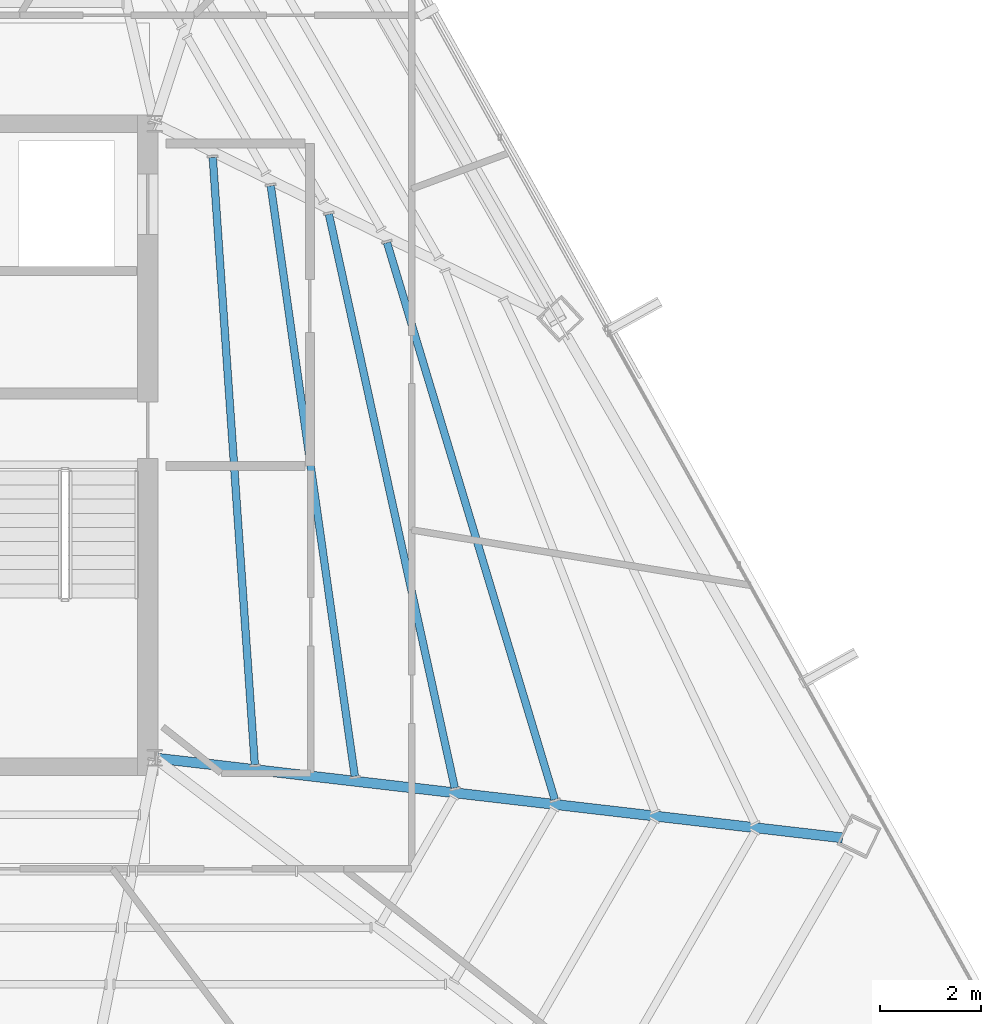
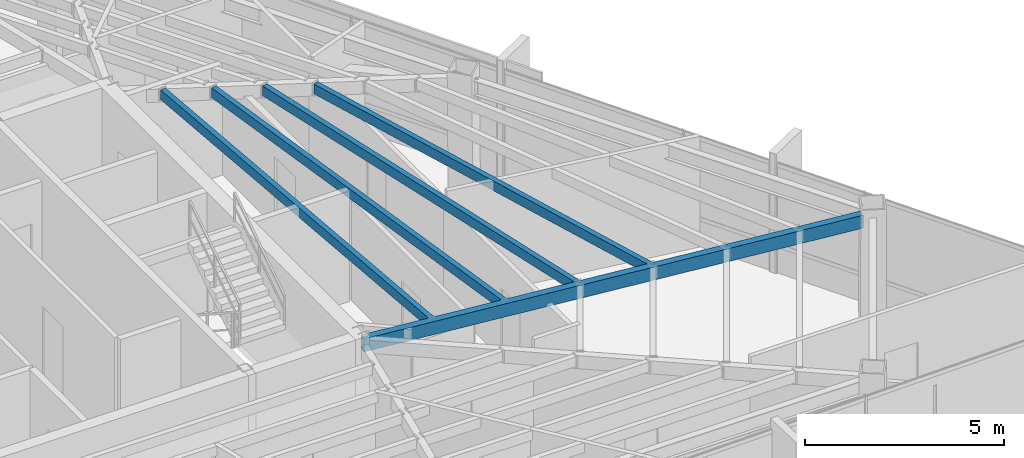
# One storey, part 22 of 45: 5 beams.
"""IFC4 building model written with IfcOpenShell, lengths in metres."""

import ifcopenshell
import ifcopenshell.guid

model = None  # the IFC model being written
_history = None  # IfcOwnerHistory: only IFC2X3 demands one
_inside = {}  # id of a spatial element -> (the spatial element, [elements in it])
_under = {}  # id of a project, library or spatial element -> (it, [spatial elements below it])
_declared = {}  # id of a project -> (the project, [libraries it declares])
_typed = {}  # id of a type object -> (the type object, [elements of that type])
_made_of = {}  # id of a material, layer set ... -> (it, [elements and type objects made of it])


def new_model(schema):
    """Start an empty IFC model of exactly this schema.

    Asked for "IFC4X3", IfcOpenShell would pick the latest addendum, in which some entities
    have other attributes; the version numbers below select the first issue.
    IFC2X3 requires an IfcOwnerHistory on every rooted entity: one is made here for all.
    """
    global model, _history
    if schema == "IFC4X3":
        model = ifcopenshell.file(schema_version=(4, 3, 0, 0))
    else:
        model = ifcopenshell.file(schema=schema)
    _inside.clear()
    _under.clear()
    _declared.clear()
    _typed.clear()
    _made_of.clear()
    _history = None
    if model.schema == "IFC2X3":
        org = make("IfcOrganization", Name="unknown")
        user = make(
            "IfcPersonAndOrganization",
            ThePerson=make("IfcPerson", FamilyName="unknown"),
            TheOrganization=org,
        )
        app = make(
            "IfcApplication",
            ApplicationDeveloper=org,
            Version="unknown",
            ApplicationFullName="unknown",
            ApplicationIdentifier="unknown",
        )
        _history = make(
            "IfcOwnerHistory",
            OwningUser=user,
            OwningApplication=app,
            ChangeAction="ADDED",
            CreationDate=0,
        )
    return model


def make(cls, **values):
    """One entity of the class cls with the attributes given. An attribute that is None is left unset."""
    return model.create_entity(
        cls, **{name: value for name, value in values.items() if value is not None}
    )


def rooted(cls, **values):
    """An entity with a GlobalId (a new one), such as an element, a storey or a relation."""
    return make(cls, GlobalId=ifcopenshell.guid.new(), OwnerHistory=_history, **values)


def si_unit(unit_type, name, prefix=None):
    """IfcSIUnit, for example si_unit("LENGTHUNIT", "METRE", prefix="MILLI")."""
    return make("IfcSIUnit", UnitType=unit_type, Prefix=prefix, Name=name)


def assignment(units):
    """IfcUnitAssignment: the units of a project."""
    return None if units is None else make("IfcUnitAssignment", Units=units)


def point(xyz):
    """IfcCartesianPoint."""
    return None if xyz is None else make("IfcCartesianPoint", Coordinates=xyz)


def direction(xyz):
    """IfcDirection."""
    return None if xyz is None else make("IfcDirection", DirectionRatios=xyz)


def frame(location, z_axis=None, x_axis=None):
    """IfcAxis2Placement3D, a coordinate frame: its origin and axes. An axis left out is left unset."""
    return make(
        "IfcAxis2Placement3D",
        Location=point(location),
        Axis=direction(z_axis),
        RefDirection=direction(x_axis),
    )


def frame_2d(location, x_axis=None):
    """IfcAxis2Placement2D, a coordinate frame in the plane: its origin and x axis."""
    return make(
        "IfcAxis2Placement2D", Location=point(location), RefDirection=direction(x_axis)
    )


def origin():
    """The frame at (0, 0, 0) with its axes left unset."""
    return frame((0.0, 0.0, 0.0))


def origin_2d():
    """The frame at (0, 0) in the plane with its x axis left unset."""
    return frame_2d((0.0, 0.0))


def place(relative_to, where):
    """IfcLocalPlacement: puts the frame where relative to a parent placement (None: the world)."""
    return make(
        "IfcLocalPlacement", PlacementRelTo=relative_to, RelativePlacement=where
    )


def context(
    kind, dimensions, precision=None, world=None, true_north=None, identifier=None
):
    """IfcGeometricRepresentationContext, for example the 3D "Model" context."""
    return make(
        "IfcGeometricRepresentationContext",
        ContextIdentifier=identifier,
        ContextType=kind,
        CoordinateSpaceDimension=dimensions,
        Precision=precision,
        WorldCoordinateSystem=world,
        TrueNorth=true_north,
    )


def subcontext(parent, identifier, kind, view, scale=None):
    """IfcGeometricRepresentationSubContext, for example "Body" below "Model"."""
    return make(
        "IfcGeometricRepresentationSubContext",
        ContextIdentifier=identifier,
        ContextType=kind,
        ParentContext=parent,
        TargetScale=scale,
        TargetView=view,
    )


def project(units=None, contexts=None):
    """IfcProject with its units and contexts."""
    return rooted(
        "IfcProject",
        Name="project",
        RepresentationContexts=contexts,
        UnitsInContext=assignment(units),
    )


def spatial(cls, under=None, at=None, **own):
    """A site, building, storey or space (cls), placed at a placement, below another one or the project."""
    s = rooted(cls, ObjectPlacement=at, **own)
    if under is not None:
        _under.setdefault(under.id(), (under, []))[1].append(s)
    return s


def profile(cls, at=None, kind="AREA", **sizes):
    """A parametric profile (cls). Its sizes go by their IFC names, for example OverallWidth=200.0."""
    return make(cls, ProfileType=kind, Position=at, **sizes)


def hollow_rectangle(**sizes):
    """IfcRectangleHollowProfileDef."""
    return profile("IfcRectangleHollowProfileDef", **sizes)


def extrude(swept, where, along, depth):
    """IfcExtrudedAreaSolid: the profile swept, set in the frame where, extruded along a direction by depth."""
    return make(
        "IfcExtrudedAreaSolid",
        SweptArea=swept,
        Position=where,
        ExtrudedDirection=direction(along),
        Depth=depth,
    )


def shape(context_of_items, identifier, shape_type, items):
    """IfcShapeRepresentation: the items that make up one representation, for example the "Body"."""
    return make(
        "IfcShapeRepresentation",
        ContextOfItems=context_of_items,
        RepresentationIdentifier=identifier,
        RepresentationType=shape_type,
        Items=items,
    )


def source(mapping_origin, context_of_items, identifier, shape_type, items):
    """IfcRepresentationMap: a shape defined once, which mapped items show again and again."""
    return make(
        "IfcRepresentationMap",
        MappingOrigin=mapping_origin,
        MappedRepresentation=shape(context_of_items, identifier, shape_type, items),
    )


def transform(
    local_origin,
    x_axis=None,
    y_axis=None,
    z_axis=None,
    scale=None,
    scale2=None,
    scale3=None,
    uniform=True,
):
    """IfcCartesianTransformationOperator3D, or its non-uniform kind. x_axis, y_axis, z_axis: its Axis1, 2, 3."""
    if uniform:
        return make(
            "IfcCartesianTransformationOperator3D",
            Axis1=direction(x_axis),
            Axis2=direction(y_axis),
            LocalOrigin=point(local_origin),
            Scale=scale,
            Axis3=direction(z_axis),
        )
    return make(
        "IfcCartesianTransformationOperator3DnonUniform",
        Axis1=direction(x_axis),
        Axis2=direction(y_axis),
        LocalOrigin=point(local_origin),
        Scale=scale,
        Axis3=direction(z_axis),
        Scale2=scale2,
        Scale3=scale3,
    )


def mapped(mapping_source, mapping_target):
    """IfcMappedItem: shows the shape of a source again, moved by a transform."""
    return make(
        "IfcMappedItem", MappingSource=mapping_source, MappingTarget=mapping_target
    )


def material(Name=None, Category=None):
    """IfcMaterial."""
    return make("IfcMaterial", Name=Name, Category=Category)


def material_profile(
    of_material, cross_section, Name=None, Category=None, Priority=None
):
    """IfcMaterialProfile: a cross section and its material."""
    return make(
        "IfcMaterialProfile",
        Name=Name,
        Material=of_material,
        Profile=cross_section,
        Priority=Priority,
        Category=Category,
    )


def profile_set(profiles, Name=None, composite=None):
    """IfcMaterialProfileSet."""
    return make(
        "IfcMaterialProfileSet",
        Name=Name,
        MaterialProfiles=profiles,
        CompositeProfile=composite,
    )


def made_of(thing, what):
    """Note that an element or type object is made of a material, layer set ...; save() writes the relation."""
    if what is not None:
        _made_of.setdefault(what.id(), (what, []))[1].append(thing)
    return thing


def type_object(cls, material=None, **own):
    """A type object (cls), such as IfcWallType, which elements share."""
    return made_of(rooted(cls, **own), material)


def type_shapes(of_type, sources):
    """Give a type object the sources (RepresentationMaps) that its elements show as mapped items."""
    of_type.RepresentationMaps = sources


def element(
    cls,
    number,
    at=None,
    inside=None,
    cuts=None,
    type_object=None,
    material=None,
    context=None,
    identifier="Body",
    shape_type=None,
    held_by="IfcProductDefinitionShape",
    body=None,
    shapes=None,
    **own,
):
    """One element of the class cls, such as IfcWall. Its Tag is "e" and its number.

    at: its placement. inside: the storey or other place that contains it. cuts: it is an
    opening in that element (IfcRelVoidsElement). A single representation is given by context,
    identifier, shape_type and body (its items); several are given by shapes. held_by: the class
    of the entity that holds the representations. save() writes the other relations.
    """
    e = rooted(cls, Tag="e%d" % number, ObjectPlacement=at, **own)
    if body is not None:
        shapes = [shape(context, identifier, shape_type, body)]
    if shapes is not None:
        e.Representation = make(held_by, Representations=shapes)
    if inside is not None:
        _inside.setdefault(inside.id(), (inside, []))[1].append(e)
    if cuts is not None:
        rooted(
            "IfcRelVoidsElement", RelatingBuildingElement=cuts, RelatedOpeningElement=e
        )
    if type_object is not None:
        _typed.setdefault(type_object.id(), (type_object, []))[1].append(e)
    return made_of(e, material)


def aggregate(whole, parts):
    """IfcRelAggregates: a whole, such as a stair, and the parts it consists of."""
    return rooted("IfcRelAggregates", RelatingObject=whole, RelatedObjects=parts)


def save(model, path):
    """Write the relations noted so far, then the file.

    IfcRelAggregates (storeys below a building ...), IfcRelContainedInSpatialStructure (elements
    in a storey), IfcRelDefinesByType, IfcRelAssociatesMaterial and IfcRelDeclares: one each for
    every whole, place, type object, material and project.
    """
    for whole, parts in _under.values():
        aggregate(whole, parts)
    for where, things in _inside.values():
        rooted(
            "IfcRelContainedInSpatialStructure",
            RelatedElements=things,
            RelatingStructure=where,
        )
    for kind, things in _typed.values():
        rooted("IfcRelDefinesByType", RelatedObjects=things, RelatingType=kind)
    for what, things in _made_of.values():
        rooted("IfcRelAssociatesMaterial", RelatedObjects=things, RelatingMaterial=what)
    for by, libraries in _declared.values():
        rooted("IfcRelDeclares", RelatingContext=by, RelatedDefinitions=libraries)
    model.write(path)


model = new_model("IFC4")

# Units and contexts
model_context = context("Model", 3, precision=1e-05, world=origin(), true_north=direction((0.0, 1.0)))
body_context = subcontext(model_context, "Body", "Model", "MODEL_VIEW")
ifc_project = project(units=[si_unit("LENGTHUNIT", "METRE"), si_unit("AREAUNIT", "SQUARE_METRE"), si_unit("VOLUMEUNIT", "CUBIC_METRE"), si_unit("PLANEANGLEUNIT", "RADIAN"), si_unit("MASSUNIT", "GRAM", prefix="KILO")], contexts=[model_context])

# Site, building, storey
site_placement = place(None, origin())
site = spatial("IfcSite", under=ifc_project, at=site_placement, CompositionType="ELEMENT")
building_placement = place(site_placement, origin())
building = spatial("IfcBuilding", under=site, at=building_placement, Name="Caelisora Broadcast Tower", CompositionType="ELEMENT")
storey_placement = place(building_placement, frame((0.0, 0.0, 262.699951171875)))
storey = spatial("IfcBuildingStorey", under=building, at=storey_placement, Name="L69", CompositionType="ELEMENT", Elevation=262.699951171875)

# Beams
ifc_material = material(Name="Steel Grade 350 (AS/NZS 1163 C350L0)", Category="steel")
ifc_material_profile_1 = material_profile(ifc_material, hollow_rectangle(XDim=0.199951171875, YDim=0.39990234375, WallThickness=0.012451171875, at=origin_2d()), Name="Steel Grade 350 (AS/NZS 1163 C350L0)")
ifc_profile_set_1 = profile_set([ifc_material_profile_1], Name="Steel Grade 350 (AS/NZS 1163 C350L0)")
beam_type_1 = type_object("IfcBeamType", Name="PG07", PredefinedType="BEAM", material=ifc_profile_set_1)
shared_shape_1 = source(origin(), body_context, "Body", "SweptSolid", [
    extrude(hollow_rectangle(XDim=0.199951171875, YDim=0.39990234375, WallThickness=0.012451171875, at=origin_2d()), origin(), (0.0, 0.0, 1.0), 13.692138671875),
])
type_shapes(beam_type_1, [shared_shape_1])
beam_1_placement = place(storey_placement, frame((45.5595703125, 17.39306640625, 3.199951171875), z_axis=(0.993321027187, -0.115383434461, 0.0), x_axis=(0.115383434461, 0.993321027187, 0.0)))
element("IfcBeam", 1, at=beam_1_placement, inside=storey, type_object=beam_type_1, Name="L69 beam PG07", PredefinedType="BEAM", context=body_context, shape_type="MappedRepresentation", body=[
    mapped(shared_shape_1, transform((0.0, 0.0, 0.0), scale=1.0)),
])
ifc_material_profile_2 = material_profile(ifc_material, hollow_rectangle(XDim=0.14990234375, YDim=0.300048828125, WallThickness=0.010009765625, at=origin_2d()), Name="Steel Grade 350 (AS/NZS 1163 C350L0)")
ifc_profile_set_2 = profile_set([ifc_material_profile_2], Name="Steel Grade 350 (AS/NZS 1163 C350L0)")
beam_type_2 = type_object("IfcBeamType", Name="SB05", PredefinedType="JOIST", material=ifc_profile_set_2)
shared_shape_2 = source(origin(), body_context, "Body", "SweptSolid", [
    extrude(hollow_rectangle(XDim=0.14990234375, YDim=0.300048828125, WallThickness=0.010009765625, at=origin_2d()), origin(), (0.0, 0.0, 1.0), 12.090087890625),
])
beam_2_placement = place(storey_placement, frame((47.48681640625, 17.266845703125, 3.25), z_axis=(-0.069081378191, 0.997611028, 0.0), x_axis=(-0.997611028, -0.069081378191, 0.0)))
element("IfcBeam", 2, at=beam_2_placement, inside=storey, type_object=beam_type_2, Name="L69 beam SB05", PredefinedType="JOIST", context=body_context, shape_type="MappedRepresentation", body=[
    mapped(shared_shape_2, transform((0.0, 0.0, 0.0), scale=1.0)),
])
shared_shape_3 = source(origin(), body_context, "Body", "SweptSolid", [
    extrude(hollow_rectangle(XDim=0.14990234375, YDim=0.300048828125, WallThickness=0.010009765625, at=origin_2d()), origin(), (0.0, 0.0, 1.0), 11.84619140625),
])
beam_3_placement = place(storey_placement, frame((49.473388671875, 17.0361328125, 3.25), z_axis=(-0.140904871279, 0.990023139755, 0.0), x_axis=(-0.990023139755, -0.140904871279, 0.0)))
element("IfcBeam", 3, at=beam_3_placement, inside=storey, type_object=beam_type_2, Name="L69 beam SB05", PredefinedType="JOIST", context=body_context, shape_type="MappedRepresentation", body=[
    mapped(shared_shape_3, transform((0.0, 0.0, 0.0), scale=1.0)),
])
shared_shape_4 = source(origin(), body_context, "Body", "SweptSolid", [
    extrude(hollow_rectangle(XDim=0.14990234375, YDim=0.300048828125, WallThickness=0.010009765625, at=origin_2d()), origin(), (0.0, 0.0, 1.0), 11.665283203125),
])
beam_4_placement = place(storey_placement, frame((51.459228515625, 16.8056640625, 3.25), z_axis=(-0.214394633019, 0.976747122511, 0.0), x_axis=(-0.976747122511, -0.214394633019, 0.0)))
element("IfcBeam", 4, at=beam_4_placement, inside=storey, type_object=beam_type_2, Name="L69 beam SB05", PredefinedType="JOIST", context=body_context, shape_type="MappedRepresentation", body=[
    mapped(shared_shape_4, transform((0.0, 0.0, 0.0), scale=1.0)),
])
shared_shape_5 = source(origin(), body_context, "Body", "SweptSolid", [
    extrude(hollow_rectangle(XDim=0.14990234375, YDim=0.300048828125, WallThickness=0.010009765625, at=origin_2d()), origin(), (0.0, 0.0, 1.0), 11.5498046875),
])
type_shapes(beam_type_2, [shared_shape_2, shared_shape_3, shared_shape_4, shared_shape_5])
beam_5_placement = place(storey_placement, frame((53.4443359375, 16.5751953125, 3.25), z_axis=(-0.28836778785, 0.957519722476, 0.0), x_axis=(-0.957519722476, -0.28836778785, 0.0)))
element("IfcBeam", 5, at=beam_5_placement, inside=storey, type_object=beam_type_2, Name="L69 beam SB05", PredefinedType="JOIST", context=body_context, shape_type="MappedRepresentation", body=[
    mapped(shared_shape_5, transform((0.0, 0.0, 0.0), scale=1.0)),
])

save(model, "model.ifc")
